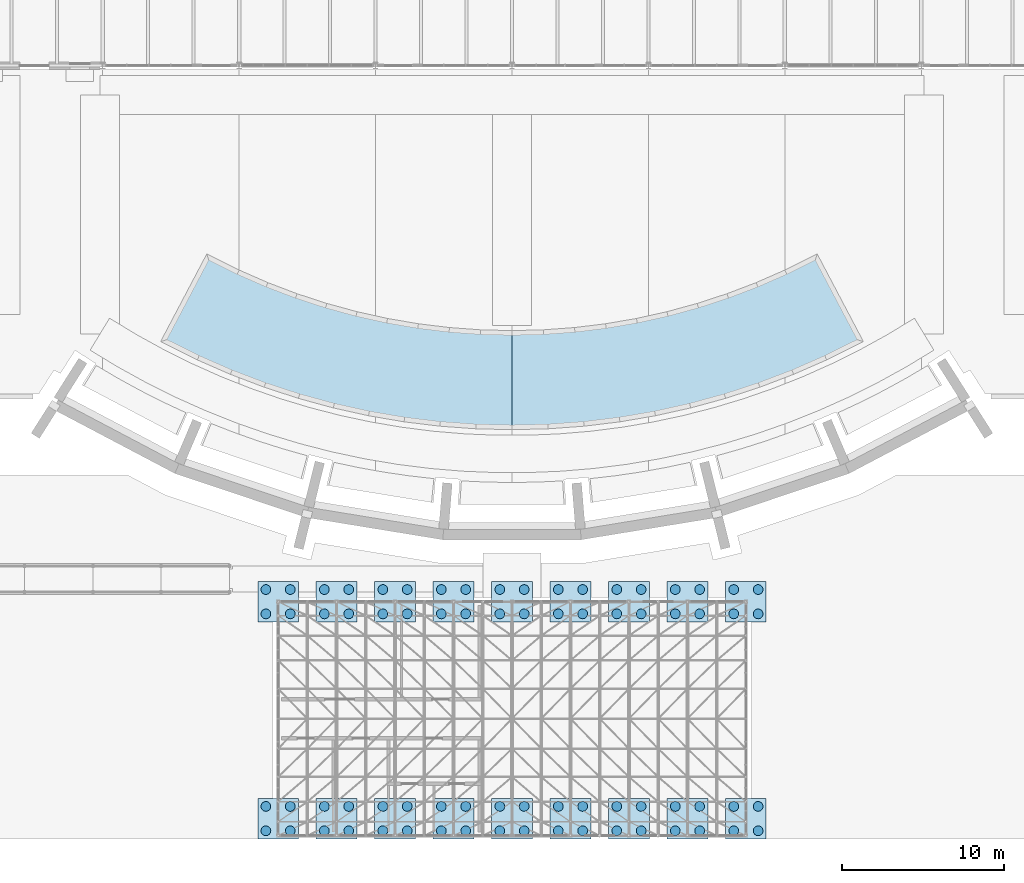
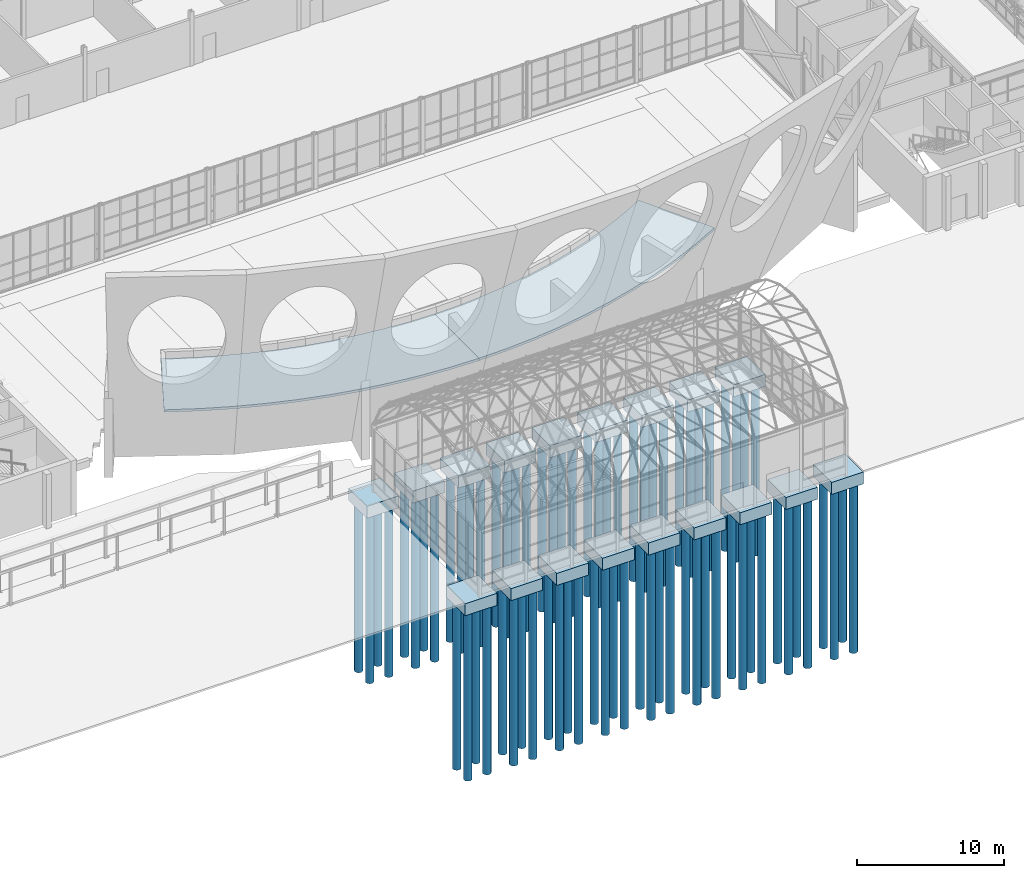
# One storey, part 1 of 116: 72 piles, 20 footings.
"""IFC4 building model written with IfcOpenShell, lengths in metres."""

from ifc_helpers import new_model, si_unit, direction, frame, origin, origin_2d, place, context, subcontext, project, spatial, polyline, rectangle, circle, outline, extrude, material, material_profile, profile_set, type_object, element, save


model = new_model("IFC4")

# Units and contexts
model_context = context("Model", 3, precision=1e-05, world=origin(), true_north=direction((0.0, 1.0)))
body_context = subcontext(model_context, "Body", "Model", "MODEL_VIEW")
ifc_project = project(units=[si_unit("LENGTHUNIT", "METRE"), si_unit("AREAUNIT", "SQUARE_METRE"), si_unit("VOLUMEUNIT", "CUBIC_METRE"), si_unit("PLANEANGLEUNIT", "RADIAN"), si_unit("MASSUNIT", "GRAM", prefix="KILO")], contexts=[model_context])

# Site, building, storey
site_placement = place(None, origin())
site = spatial("IfcSite", under=ifc_project, at=site_placement, CompositionType="ELEMENT")
building_placement = place(site_placement, origin())
building = spatial("IfcBuilding", under=site, at=building_placement, Name="Ardhachandra Cancer Care Centre", CompositionType="ELEMENT")
storey_placement = place(building_placement, origin())
storey = spatial("IfcBuildingStorey", under=building, at=storey_placement, Name="L00", CompositionType="ELEMENT", Elevation=0.0)

# Piles
ifc_material_1 = material(Name="Concrete M35", Category="concrete")
ifc_material_profile = material_profile(ifc_material_1, circle(Radius=0.300048828125, at=origin_2d()), Name="D600")
ifc_profile_set = profile_set([ifc_material_profile], Name="Concrete M35")
pile_type = type_object("IfcPileType", Name="Bored pile D600", PredefinedType="BORED", material=ifc_profile_set)
for number, where, z_axis, x_axis, name in (
    (1, (62.85009765625, 7.5, -1.14990234375), (0.0, 0.0, -1.0), (1.0, 0.0, 0.0), "Pile PV-S1-1"),
    (2, (64.35009765625, 7.5, -1.14990234375), (0.0, 0.0, -1.0), (1.0, 0.0, 0.0), "Pile PV-S1-2"),
    (3, (62.85009765625, 9.0, -1.14990234375), (0.0, 0.0, -1.0), (1.0, 0.0, 0.0), "Pile PV-S1-3"),
    (4, (64.35009765625, 9.0, -1.14990234375), (0.0, 0.0, -1.0), (1.0, 0.0, 0.0), "Pile PV-S1-4"),
    (5, (66.449951171875, 7.5, -1.14990234375), (0.0, 0.0, -1.0), (1.0, 0.0, 0.0), "Pile PV-S2-1"),
    (6, (67.949951171875, 7.5, -1.14990234375), (0.0, 0.0, -1.0), (1.0, 0.0, 0.0), "Pile PV-S2-2"),
    (7, (66.449951171875, 9.0, -1.14990234375), (0.0, 0.0, -1.0), (1.0, 0.0, 0.0), "Pile PV-S2-3"),
    (8, (67.949951171875, 9.0, -1.14990234375), (0.0, 0.0, -1.0), (1.0, 0.0, 0.0), "Pile PV-S2-4"),
    (9, (70.050048828125, 7.5, -1.14990234375), (0.0, 0.0, -1.0), (1.0, 0.0, 0.0), "Pile PV-S3-1"),
    (10, (71.550048828125, 7.5, -1.14990234375), (0.0, 0.0, -1.0), (1.0, 0.0, 0.0), "Pile PV-S3-2"),
    (11, (70.050048828125, 9.0, -1.14990234375), (0.0, 0.0, -1.0), (1.0, 0.0, 0.0), "Pile PV-S3-3"),
    (12, (71.550048828125, 9.0, -1.14990234375), (0.0, 0.0, -1.0), (1.0, 0.0, 0.0), "Pile PV-S3-4"),
    (13, (73.64990234375, 7.5, -1.14990234375), (0.0, 0.0, -1.0), (1.0, 0.0, 0.0), "Pile PV-S4-1"),
    (14, (75.14990234375, 7.5, -1.14990234375), (0.0, 0.0, -1.0), (1.0, 0.0, 0.0), "Pile PV-S4-2"),
    (15, (73.64990234375, 9.0, -1.14990234375), (0.0, 0.0, -1.0), (1.0, 0.0, 0.0), "Pile PV-S4-3"),
    (16, (75.14990234375, 9.0, -1.14990234375), (0.0, 0.0, -1.0), (1.0, 0.0, 0.0), "Pile PV-S4-4"),
    (17, (77.25, 7.5, -1.14990234375), (0.0, 0.0, -1.0), (1.0, 0.0, 0.0), "Pile PV-S5-1"),
    (18, (78.75, 7.5, -1.14990234375), (0.0, 0.0, -1.0), (1.0, 0.0, 0.0), "Pile PV-S5-2"),
    (19, (77.25, 9.0, -1.14990234375), (0.0, 0.0, -1.0), (1.0, 0.0, 0.0), "Pile PV-S5-3"),
    (20, (78.75, 9.0, -1.14990234375), (0.0, 0.0, -1.0), (1.0, 0.0, 0.0), "Pile PV-S5-4"),
    (21, (80.85009765625, 7.5, -1.14990234375), (0.0, 0.0, -1.0), (1.0, 0.0, 0.0), "Pile PV-S6-1"),
    (22, (82.35009765625, 7.5, -1.14990234375), (0.0, 0.0, -1.0), (1.0, 0.0, 0.0), "Pile PV-S6-2"),
    (23, (80.85009765625, 9.0, -1.14990234375), (0.0, 0.0, -1.0), (1.0, 0.0, 0.0), "Pile PV-S6-3"),
    (24, (82.35009765625, 9.0, -1.14990234375), (0.0, 0.0, -1.0), (1.0, 0.0, 0.0), "Pile PV-S6-4"),
    (25, (84.449951171875, 7.5, -1.14990234375), (0.0, 0.0, -1.0), (1.0, 0.0, 0.0), "Pile PV-S7-1"),
    (26, (85.949951171875, 7.5, -1.14990234375), (0.0, 0.0, -1.0), (1.0, 0.0, 0.0), "Pile PV-S7-2"),
    (27, (84.449951171875, 9.0, -1.14990234375), (0.0, 0.0, -1.0), (1.0, 0.0, 0.0), "Pile PV-S7-3"),
    (28, (85.949951171875, 9.0, -1.14990234375), (0.0, 0.0, -1.0), (1.0, 0.0, 0.0), "Pile PV-S7-4"),
    (29, (88.050048828125, 7.5, -1.14990234375), (0.0, 0.0, -1.0), (1.0, 0.0, 0.0), "Pile PV-S8-1"),
    (30, (89.550048828125, 7.5, -1.14990234375), (0.0, 0.0, -1.0), (1.0, 0.0, 0.0), "Pile PV-S8-2"),
    (31, (88.050048828125, 9.0, -1.14990234375), (0.0, 0.0, -1.0), (1.0, 0.0, 0.0), "Pile PV-S8-3"),
    (32, (89.550048828125, 9.0, -1.14990234375), (0.0, 0.0, -1.0), (1.0, 0.0, 0.0), "Pile PV-S8-4"),
    (33, (91.64990234375, 7.5, -1.14990234375), (0.0, 0.0, -1.0), (1.0, 0.0, 0.0), "Pile PV-S9-1"),
    (34, (93.14990234375, 7.5, -1.14990234375), (0.0, 0.0, -1.0), (1.0, 0.0, 0.0), "Pile PV-S9-2"),
    (35, (91.64990234375, 9.0, -1.14990234375), (0.0, 0.0, -1.0), (1.0, 0.0, 0.0), "Pile PV-S9-3"),
    (36, (93.14990234375, 9.0, -1.14990234375), (0.0, 0.0, -1.0), (1.0, 0.0, 0.0), "Pile PV-S9-4"),
    (37, (62.85009765625, 20.85009765625, -1.14990234375), (0.0, 0.0, -1.0), (1.0, 0.0, 0.0), "Pile PV-N1-1"),
    (38, (64.35009765625, 20.85009765625, -1.14990234375), (0.0, 0.0, -1.0), (1.0, 0.0, 0.0), "Pile PV-N1-2"),
    (39, (62.85009765625, 22.35009765625, -1.14990234375), (0.0, 0.0, -1.0), (1.0, 0.0, 0.0), "Pile PV-N1-3"),
    (40, (64.35009765625, 22.35009765625, -1.14990234375), (0.0, 0.0, -1.0), (1.0, 0.0, 0.0), "Pile PV-N1-4"),
    (41, (66.449951171875, 20.85009765625, -1.14990234375), (0.0, 0.0, -1.0), (1.0, 0.0, 0.0), "Pile PV-N2-1"),
    (42, (67.949951171875, 20.85009765625, -1.14990234375), (0.0, 0.0, -1.0), (1.0, 0.0, 0.0), "Pile PV-N2-2"),
    (43, (66.449951171875, 22.35009765625, -1.14990234375), (0.0, 0.0, -1.0), (1.0, 0.0, 0.0), "Pile PV-N2-3"),
    (44, (67.949951171875, 22.35009765625, -1.14990234375), (0.0, 0.0, -1.0), (1.0, 0.0, 0.0), "Pile PV-N2-4"),
    (45, (70.050048828125, 20.85009765625, -1.14990234375), (0.0, 0.0, -1.0), (1.0, 0.0, 0.0), "Pile PV-N3-1"),
    (46, (71.550048828125, 20.85009765625, -1.14990234375), (0.0, 0.0, -1.0), (1.0, 0.0, 0.0), "Pile PV-N3-2"),
    (47, (70.050048828125, 22.35009765625, -1.14990234375), (0.0, 0.0, -1.0), (1.0, 0.0, 0.0), "Pile PV-N3-3"),
    (48, (71.550048828125, 22.35009765625, -1.14990234375), (0.0, 0.0, -1.0), (1.0, 0.0, 0.0), "Pile PV-N3-4"),
    (49, (73.64990234375, 20.85009765625, -1.14990234375), (0.0, 0.0, -1.0), (1.0, 0.0, 0.0), "Pile PV-N4-1"),
    (50, (75.14990234375, 20.85009765625, -1.14990234375), (0.0, 0.0, -1.0), (1.0, 0.0, 0.0), "Pile PV-N4-2"),
    (51, (73.64990234375, 22.35009765625, -1.14990234375), (0.0, 0.0, -1.0), (1.0, 0.0, 0.0), "Pile PV-N4-3"),
    (52, (75.14990234375, 22.35009765625, -1.14990234375), (0.0, 0.0, -1.0), (1.0, 0.0, 0.0), "Pile PV-N4-4"),
    (53, (77.25, 20.85009765625, -1.14990234375), (0.0, 0.0, -1.0), (1.0, 0.0, 0.0), "Pile PV-N5-1"),
    (54, (78.75, 20.85009765625, -1.14990234375), (0.0, 0.0, -1.0), (1.0, 0.0, 0.0), "Pile PV-N5-2"),
    (55, (77.25, 22.35009765625, -1.14990234375), (0.0, 0.0, -1.0), (1.0, 0.0, 0.0), "Pile PV-N5-3"),
    (56, (78.75, 22.35009765625, -1.14990234375), (0.0, 0.0, -1.0), (1.0, 0.0, 0.0), "Pile PV-N5-4"),
    (57, (80.85009765625, 20.85009765625, -1.14990234375), (0.0, 0.0, -1.0), (1.0, 0.0, 0.0), "Pile PV-N6-1"),
    (58, (82.35009765625, 20.85009765625, -1.14990234375), (0.0, 0.0, -1.0), (1.0, 0.0, 0.0), "Pile PV-N6-2"),
    (59, (80.85009765625, 22.35009765625, -1.14990234375), (0.0, 0.0, -1.0), (1.0, 0.0, 0.0), "Pile PV-N6-3"),
    (60, (82.35009765625, 22.35009765625, -1.14990234375), (0.0, 0.0, -1.0), (1.0, 0.0, 0.0), "Pile PV-N6-4"),
    (61, (84.449951171875, 20.85009765625, -1.14990234375), (0.0, 0.0, -1.0), (1.0, 0.0, 0.0), "Pile PV-N7-1"),
    (62, (85.949951171875, 20.85009765625, -1.14990234375), (0.0, 0.0, -1.0), (1.0, 0.0, 0.0), "Pile PV-N7-2"),
    (63, (84.449951171875, 22.35009765625, -1.14990234375), (0.0, 0.0, -1.0), (1.0, 0.0, 0.0), "Pile PV-N7-3"),
    (64, (85.949951171875, 22.35009765625, -1.14990234375), (0.0, 0.0, -1.0), (1.0, 0.0, 0.0), "Pile PV-N7-4"),
    (65, (88.050048828125, 20.85009765625, -1.14990234375), (0.0, 0.0, -1.0), (1.0, 0.0, 0.0), "Pile PV-N8-1"),
    (66, (89.550048828125, 20.85009765625, -1.14990234375), (0.0, 0.0, -1.0), (1.0, 0.0, 0.0), "Pile PV-N8-2"),
    (67, (88.050048828125, 22.35009765625, -1.14990234375), (0.0, 0.0, -1.0), (1.0, 0.0, 0.0), "Pile PV-N8-3"),
    (68, (89.550048828125, 22.35009765625, -1.14990234375), (0.0, 0.0, -1.0), (1.0, 0.0, 0.0), "Pile PV-N8-4"),
    (69, (91.64990234375, 20.85009765625, -1.14990234375), (0.0, 0.0, -1.0), (1.0, 0.0, 0.0), "Pile PV-N9-1"),
    (70, (93.14990234375, 20.85009765625, -1.14990234375), (0.0, 0.0, -1.0), (1.0, 0.0, 0.0), "Pile PV-N9-2"),
    (71, (91.64990234375, 22.35009765625, -1.14990234375), (0.0, 0.0, -1.0), (1.0, 0.0, 0.0), "Pile PV-N9-3"),
    (72, (93.14990234375, 22.35009765625, -1.14990234375), (0.0, 0.0, -1.0), (1.0, 0.0, 0.0), "Pile PV-N9-4"),
):
    element("IfcPile", number, at=place(storey_placement, frame(where, z_axis=z_axis, x_axis=x_axis)), inside=storey, type_object=pile_type, Name=name, PredefinedType="BORED", context=body_context, shape_type="SweptSolid", body=[
        extrude(circle(Radius=0.300048828125, at=origin_2d()), origin(), (0.0, 0.0, 1.0), 14.10009765625),
    ])

# Footings
ifc_material_2 = material(Name="Concrete M40", Category="concrete")
footing_type_1 = type_object("IfcFootingType", Name="Pile cap 2500x2500x1000", PredefinedType="PILE_CAP", material=ifc_material_2)
for number, where, z_axis, x_axis, name in (
    (73, (63.60009765625, 8.25, -1.25), (0.0, 0.0, 1.0), (1.0, 0.0, 0.0), "Pile cap PV-S1"),
    (74, (67.199951171875, 8.25, -1.25), (0.0, 0.0, 1.0), (1.0, 0.0, 0.0), "Pile cap PV-S2"),
    (75, (70.800048828125, 8.25, -1.25), (0.0, 0.0, 1.0), (1.0, 0.0, 0.0), "Pile cap PV-S3"),
    (76, (74.39990234375, 8.25, -1.25), (0.0, 0.0, 1.0), (1.0, 0.0, 0.0), "Pile cap PV-S4"),
    (77, (78.0, 8.25, -1.25), (0.0, 0.0, 1.0), (1.0, 0.0, 0.0), "Pile cap PV-S5"),
    (78, (81.60009765625, 8.25, -1.25), (0.0, 0.0, 1.0), (1.0, 0.0, 0.0), "Pile cap PV-S6"),
    (79, (85.199951171875, 8.25, -1.25), (0.0, 0.0, 1.0), (1.0, 0.0, 0.0), "Pile cap PV-S7"),
    (80, (88.800048828125, 8.25, -1.25), (0.0, 0.0, 1.0), (1.0, 0.0, 0.0), "Pile cap PV-S8"),
    (81, (92.39990234375, 8.25, -1.25), (0.0, 0.0, 1.0), (1.0, 0.0, 0.0), "Pile cap PV-S9"),
    (82, (63.60009765625, 21.60009765625, -1.25), (0.0, 0.0, 1.0), (1.0, 0.0, 0.0), "Pile cap PV-N1"),
    (83, (67.199951171875, 21.60009765625, -1.25), (0.0, 0.0, 1.0), (1.0, 0.0, 0.0), "Pile cap PV-N2"),
    (84, (70.800048828125, 21.60009765625, -1.25), (0.0, 0.0, 1.0), (1.0, 0.0, 0.0), "Pile cap PV-N3"),
    (85, (74.39990234375, 21.60009765625, -1.25), (0.0, 0.0, 1.0), (1.0, 0.0, 0.0), "Pile cap PV-N4"),
    (86, (78.0, 21.60009765625, -1.25), (0.0, 0.0, 1.0), (1.0, 0.0, 0.0), "Pile cap PV-N5"),
    (87, (81.60009765625, 21.60009765625, -1.25), (0.0, 0.0, 1.0), (1.0, 0.0, 0.0), "Pile cap PV-N6"),
    (88, (85.199951171875, 21.60009765625, -1.25), (0.0, 0.0, 1.0), (1.0, 0.0, 0.0), "Pile cap PV-N7"),
    (89, (88.800048828125, 21.60009765625, -1.25), (0.0, 0.0, 1.0), (1.0, 0.0, 0.0), "Pile cap PV-N8"),
    (90, (92.39990234375, 21.60009765625, -1.25), (0.0, 0.0, 1.0), (1.0, 0.0, 0.0), "Pile cap PV-N9"),
):
    element("IfcFooting", number, at=place(storey_placement, frame(where, z_axis=z_axis, x_axis=x_axis)), inside=storey, type_object=footing_type_1, Name=name, PredefinedType="PILE_CAP", context=body_context, shape_type="SweptSolid", body=[
        extrude(rectangle(XDim=2.5, YDim=2.5, at=origin_2d()), origin(), (0.0, 0.0, 1.0), 1.0),
    ])
ifc_material_3 = material(Name="Concrete M40", Category="concrete")
footing_type_2 = type_object("IfcFootingType", Name="Pool bearing raft 200", PredefinedType="PAD_FOOTING", material=ifc_material_3)
footing_1_placement = place(storey_placement, frame((0.0, 0.0, -0.800048828125)))
element("IfcFooting", 91, at=footing_1_placement, inside=storey, type_object=footing_type_2, Name="Pool bearing raft 1", PredefinedType="PAD_FOOTING", context=body_context, shape_type="SweptSolid", body=[
    extrude(outline(polyline([(75.7783203125, 32.242919921875), (78.0, 32.18896484375), (78.0, 38.289306640625), (76.07421875, 38.3359375), (74.153076171875, 38.47607421875), (72.24072265625, 38.708984375), (70.342041015625, 39.03466796875), (68.46142578125, 39.451904296875), (66.603271484375, 39.959716796875), (64.77197265625, 40.55712890625), (62.9716796875, 41.24267578125), (61.206787109375, 42.014892578125), (59.212646484375, 43.005126953125), (56.367919921875, 37.608642578125), (58.627197265625, 36.487060546875), (60.6630859375, 35.59619140625), (62.739990234375, 34.805419921875), (64.8525390625, 34.1162109375), (66.99609375, 33.5302734375), (69.165771484375, 33.048828125), (71.35595703125, 32.67333984375), (73.56201171875, 32.404541015625), (75.7783203125, 32.242919921875)])), origin(), (0.0, 0.0, 1.0), 0.199951171875),
])
footing_2_placement = place(storey_placement, frame((0.0, 0.0, -0.800048828125)))
element("IfcFooting", 92, at=footing_2_placement, inside=storey, type_object=footing_type_2, Name="Pool bearing raft 2", PredefinedType="PAD_FOOTING", context=body_context, shape_type="SweptSolid", body=[
    extrude(outline(polyline([(79.92578125, 38.3359375), (78.0, 38.289306640625), (78.0, 32.18896484375), (80.2216796875, 32.242919921875), (82.43798828125, 32.404541015625), (84.64404296875, 32.67333984375), (86.834228515625, 33.048828125), (89.00390625, 33.5302734375), (91.1474609375, 34.1162109375), (93.260009765625, 34.805419921875), (95.3369140625, 35.59619140625), (97.372802734375, 36.487060546875), (99.632080078125, 37.608642578125), (96.787353515625, 43.005126953125), (94.793212890625, 42.014892578125), (93.0283203125, 41.24267578125), (91.22802734375, 40.55712890625), (89.396728515625, 39.959716796875), (87.53857421875, 39.451904296875), (85.657958984375, 39.03466796875), (83.75927734375, 38.708984375), (81.846923828125, 38.47607421875), (79.92578125, 38.3359375)])), origin(), (0.0, 0.0, 1.0), 0.199951171875),
])

save(model, "model.ifc")
